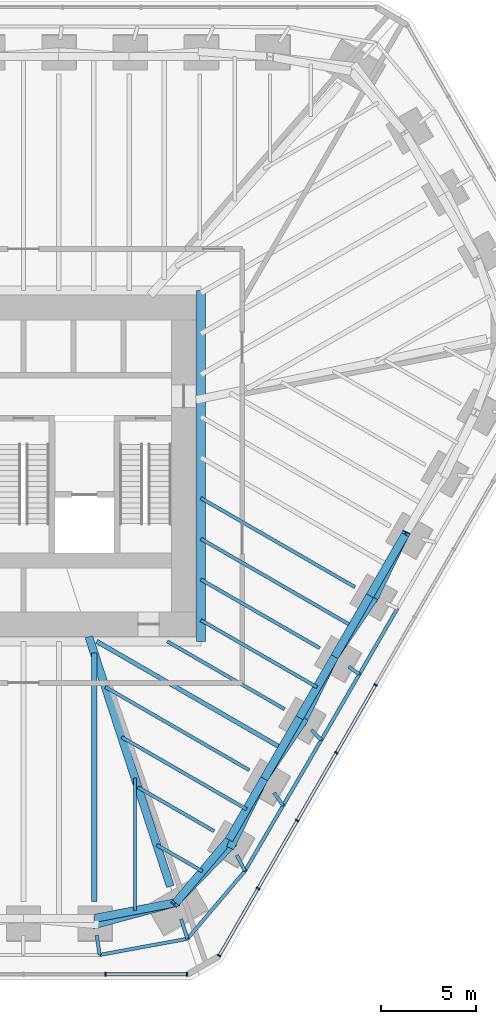
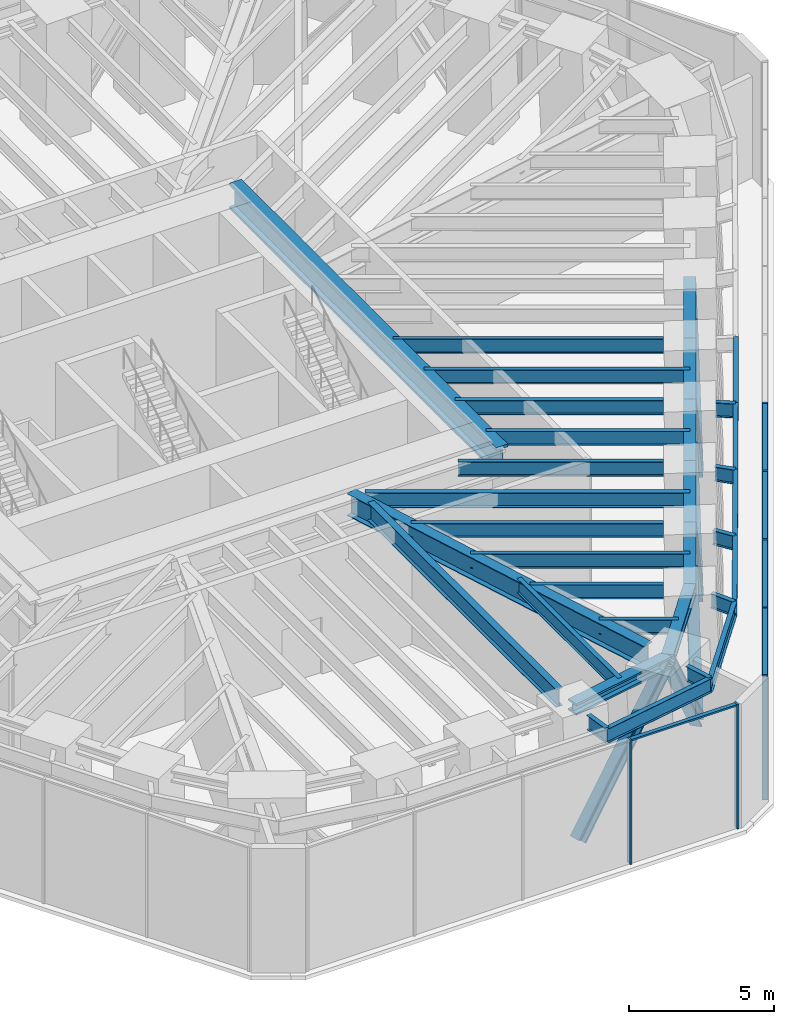
# One storey, part 4 of 12: 33 beams, 19 members, 2 elements without a shape of their own.
"""IFC4 building model written with IfcOpenShell, lengths in metres."""

from ifc_helpers import new_model, si_unit, direction, frame, origin, origin_2d, place, context, subcontext, project, spatial, rectangle, i_section, extrude, material, material_profile, profile_set, type_object, element, aggregate, save


model = new_model("IFC4")

# Units and contexts
model_context = context("Model", 3, precision=1e-05, world=origin(), true_north=direction((0.0, 1.0)))
body_context = subcontext(model_context, "Body", "Model", "MODEL_VIEW")
ifc_project = project(units=[si_unit("LENGTHUNIT", "METRE"), si_unit("AREAUNIT", "SQUARE_METRE"), si_unit("VOLUMEUNIT", "CUBIC_METRE"), si_unit("PLANEANGLEUNIT", "RADIAN"), si_unit("MASSUNIT", "GRAM", prefix="KILO")], contexts=[model_context])

# Site, building, storey
site_placement = place(None, origin())
site = spatial("IfcSite", under=ifc_project, at=site_placement, CompositionType="ELEMENT")
building_placement = place(site_placement, origin())
building = spatial("IfcBuilding", under=site, at=building_placement, Name="Sandreach Pilgrim Tower", CompositionType="ELEMENT")
storey_placement = place(building_placement, frame((0.0, 0.0, 172.800048828125)))
storey = spatial("IfcBuildingStorey", under=building, at=storey_placement, Name="L43", CompositionType="ELEMENT", Elevation=172.800048828125)

# Beams
ifc_material_1 = material(Name="Steel ASTM A913 Grade 65", Category="steel")
ifc_material_profile_1 = material_profile(ifc_material_1, i_section(OverallWidth=0.4267578125, OverallDepth=0.482666015625, WebThickness=0.05126953125, FlangeThickness=0.08154296875, at=origin_2d()), Name="W14X455")
ifc_profile_set_1 = profile_set([ifc_material_profile_1], Name="Steel ASTM A913 Grade 65")
beam_type_1 = type_object("IfcBeamType", Name="Belt truss chord W14X455", PredefinedType="BEAM", material=ifc_profile_set_1)
beam_1_placement = place(storey_placement, frame((20.00341796875, -5.1533203125, 4.99853515625), z_axis=(-0.499993363642, -0.866029235253, 0.0), x_axis=(0.866029235253, -0.499993363642, 0.0)))
element("IfcBeam", 1, at=beam_1_placement, inside=storey, type_object=beam_type_1, Name="BM L43 BTT16", PredefinedType="BEAM", context=body_context, shape_type="SweptSolid", body=[
    extrude(i_section(OverallWidth=0.4267578125, OverallDepth=0.482666015625, WebThickness=0.05126953125, FlangeThickness=0.08154296875, at=origin_2d()), origin(), (0.0, 0.0, 1.0), 3.6923828125),
])
for number, where, z_axis, x_axis, name in (
    (2, (18.1572265625, -8.35107421875, 4.99853515625), (-0.500042951019, -0.866000604582, 0.0), (0.866000604582, -0.500042951019, 0.0), "BM L43 BTT17"),
    (3, (16.310791015625, -11.548828125, 4.99853515625), (-0.49996473481, -0.866045763194, 0.0), (0.866045763194, -0.49996473481, 0.0), "BM L43 BTT18"),
):
    element("IfcBeam", number, at=place(storey_placement, frame(where, z_axis=z_axis, x_axis=x_axis)), inside=storey, type_object=beam_type_1, Name=name, PredefinedType="BEAM", context=body_context, shape_type="SweptSolid", body=[
        extrude(i_section(OverallWidth=0.4267578125, OverallDepth=0.482666015625, WebThickness=0.05126953125, FlangeThickness=0.08154296875, at=origin_2d()), origin(), (0.0, 0.0, 1.0), 3.692626953125),
    ])
for number, where, z_axis, x_axis, name in (
    (4, (14.464599609375, -14.746826171875, 4.99853515625), (-0.499993363642, -0.866029235253, 0.0), (0.866029235253, -0.499993363642, 0.0), "BM L43 BTT19"),
    (5, (12.618408203125, -17.944580078125, 4.99853515625), (-0.499993363642, -0.866029235253, 0.0), (0.866029235253, -0.499993363642, 0.0), "BM L43 BTT20"),
):
    element("IfcBeam", number, at=place(storey_placement, frame(where, z_axis=z_axis, x_axis=x_axis)), inside=storey, type_object=beam_type_1, Name=name, PredefinedType="BEAM", context=body_context, shape_type="SweptSolid", body=[
        extrude(i_section(OverallWidth=0.4267578125, OverallDepth=0.482666015625, WebThickness=0.05126953125, FlangeThickness=0.08154296875, at=origin_2d()), origin(), (0.0, 0.0, 1.0), 3.6923828125),
    ])
beam_2_placement = place(storey_placement, frame((10.772216796875, -21.142333984375, 4.99853515625), z_axis=(-0.646180160755, -0.76318490541, 0.0), x_axis=(0.76318490541, -0.646180160755, 0.0)))
element("IfcBeam", 6, at=beam_2_placement, inside=storey, type_object=beam_type_1, Name="BM L43 BTT21", PredefinedType="BEAM", context=body_context, shape_type="SweptSolid", body=[
    extrude(i_section(OverallWidth=0.4267578125, OverallDepth=0.482666015625, WebThickness=0.05126953125, FlangeThickness=0.08154296875, at=origin_2d()), origin(), (0.0, 0.0, 1.0), 4.323486328125),
])
beam_3_placement = place(storey_placement, frame((7.978515625, -24.44189453125, 4.99853515625), z_axis=(-0.981901333807, -0.18939316426, 0.0), x_axis=(0.18939316426, -0.981901333807, 0.0)))
element("IfcBeam", 7, at=beam_3_placement, inside=storey, type_object=beam_type_1, Name="BM L43 BTT22", PredefinedType="BEAM", context=body_context, shape_type="SweptSolid", body=[
    extrude(i_section(OverallWidth=0.4267578125, OverallDepth=0.482666015625, WebThickness=0.05126953125, FlangeThickness=0.08154296875, at=origin_2d()), origin(), (0.0, 0.0, 1.0), 4.3466796875),
])

# Members
ifc_material_2 = material(Name="Steel ASTM A913 Grade 65", Category="steel")
ifc_material_profile_2 = material_profile(ifc_material_2, i_section(OverallWidth=0.419189453125, OverallDepth=0.45458984375, WebThickness=0.042236328125, FlangeThickness=0.067626953125, at=origin_2d()), Name="W14X370")
ifc_profile_set_2 = profile_set([ifc_material_profile_2], Name="Steel ASTM A913 Grade 65")
member_type_1 = type_object("IfcMemberType", Name="Belt truss diagonal W14X370", PredefinedType="BRACE", material=ifc_profile_set_2)
member_1_placement = place(storey_placement, frame((20.00341796875, -5.1533203125, 4.99853515625), z_axis=(-0.246931525493, -0.505858362682, -0.826518081244), x_axis=(0.898648466726, -0.438669503444, 0.0)))
element("IfcMember", 8, at=member_1_placement, inside=storey, type_object=member_type_1, Name="Belt truss diagonal L43 bay 16", PredefinedType="BRACE", context=body_context, shape_type="SweptSolid", body=[
    extrude(i_section(OverallWidth=0.419189453125, OverallDepth=0.45458984375, WebThickness=0.042236328125, FlangeThickness=0.067626953125, at=origin_2d()), origin(), (0.0, 0.0, 1.0), 6.533203125),
])
member_2_placement = place(storey_placement, frame((18.39013671875, -8.458251953125, -0.4013671875), z_axis=(-0.316970907812, -0.471120667136, 0.823149294234), x_axis=(0.829693410335, -0.55821935191, 0.0)))
element("IfcMember", 9, at=member_2_placement, inside=storey, type_object=member_type_1, Name="Belt truss diagonal L43 bay 17", PredefinedType="BRACE", context=body_context, shape_type="SweptSolid", body=[
    extrude(i_section(OverallWidth=0.419189453125, OverallDepth=0.45458984375, WebThickness=0.042236328125, FlangeThickness=0.067626953125, at=origin_2d()), origin(), (0.0, 0.0, 1.0), 6.56005859375),
])
member_3_placement = place(storey_placement, frame((16.310791015625, -11.548828125, 4.99853515625), z_axis=(-0.252105644824, -0.514218423447, -0.819769575451), x_axis=(0.897894641446, -0.440210418849, 0.0)))
element("IfcMember", 10, at=member_3_placement, inside=storey, type_object=member_type_1, Name="Belt truss diagonal L43 bay 18", PredefinedType="BRACE", context=body_context, shape_type="SweptSolid", body=[
    extrude(i_section(OverallWidth=0.419189453125, OverallDepth=0.45458984375, WebThickness=0.042236328125, FlangeThickness=0.067626953125, at=origin_2d()), origin(), (0.0, 0.0, 1.0), 6.587158203125),
])
member_4_placement = place(storey_placement, frame((14.650146484375, -14.93603515625, -0.4013671875), z_axis=(-0.312249190131, -0.462370436191, 0.8298879581), x_axis=(0.828724692685, -0.559656487262, 0.0)))
element("IfcMember", 11, at=member_4_placement, inside=storey, type_object=member_type_1, Name="Belt truss diagonal L43 bay 19", PredefinedType="BRACE", context=body_context, shape_type="SweptSolid", body=[
    extrude(i_section(OverallWidth=0.419189453125, OverallDepth=0.45458984375, WebThickness=0.042236328125, FlangeThickness=0.067626953125, at=origin_2d()), origin(), (0.0, 0.0, 1.0), 6.5068359375),
])
member_5_placement = place(storey_placement, frame((12.618408203125, -17.944580078125, 4.99853515625), z_axis=(-0.257170147661, -0.522317128089, -0.813048788731), x_axis=(0.897150659058, -0.441724682298, 0.0)))
element("IfcMember", 12, at=member_5_placement, inside=storey, type_object=member_type_1, Name="Belt truss diagonal L43 bay 20", PredefinedType="BRACE", context=body_context, shape_type="SweptSolid", body=[
    extrude(i_section(OverallWidth=0.419189453125, OverallDepth=0.45458984375, WebThickness=0.042236328125, FlangeThickness=0.067626953125, at=origin_2d()), origin(), (0.0, 0.0, 1.0), 6.6416015625),
])
member_6_placement = place(storey_placement, frame((10.910400390625, -21.41357421875, -0.4013671875), z_axis=(-0.427998156749, -0.442075871123, 0.78828072537), x_axis=(0.718453665543, -0.69557482018, 0.0)))
element("IfcMember", 13, at=member_6_placement, inside=storey, type_object=member_type_1, Name="Belt truss diagonal L43 bay 21", PredefinedType="BRACE", context=body_context, shape_type="SweptSolid", body=[
    extrude(i_section(OverallWidth=0.419189453125, OverallDepth=0.45458984375, WebThickness=0.042236328125, FlangeThickness=0.067626953125, at=origin_2d()), origin(), (0.0, 0.0, 1.0), 6.850341796875),
])
member_7_placement = place(storey_placement, frame((7.978515625, -24.44189453125, 4.99853515625), z_axis=(-0.60748901661, -0.164433117278, -0.777122155546), x_axis=(0.261274605116, -0.965264513344, 0.0)))
element("IfcMember", 14, at=member_7_placement, inside=storey, type_object=member_type_1, Name="Belt truss diagonal L43 bay 22", PredefinedType="BRACE", context=body_context, shape_type="SweptSolid", body=[
    extrude(i_section(OverallWidth=0.419189453125, OverallDepth=0.45458984375, WebThickness=0.042236328125, FlangeThickness=0.067626953125, at=origin_2d()), origin(), (0.0, 0.0, 1.0), 6.948486328125),
])

# Curtain wall, members
ifc_material_3 = material(Name="Aluminium framed curtain wall", Category="aluminium")
curtain_wall_type = type_object("IfcCurtainWallType", Name="Plant storey louvred curtain wall", PredefinedType="NOTDEFINED", material=ifc_material_3)
curtain_wall_1_placement = place(storey_placement, origin())
curtain_wall_1 = element("IfcCurtainWall", 15, at=curtain_wall_1_placement, inside=storey, type_object=curtain_wall_type, Name="CW-L L43 SE", PredefinedType="NOTDEFINED")
ifc_material_4 = material(Name="Aluminium extrusion", Category="aluminium")
ifc_material_profile_3 = material_profile(ifc_material_4, rectangle(XDim=0.080078125, YDim=0.199951171875, at=origin_2d()), Name="CW-LM 80X200")
ifc_profile_set_3 = profile_set([ifc_material_profile_3], Name="Aluminium extrusion")
member_type_2 = type_object("IfcMemberType", Name="CW-L mullion", PredefinedType="MULLION", material=ifc_profile_set_3)
member_8_placement = place(storey_placement, frame((18.453369140625, -13.025146484375, 0.0), z_axis=(0.0, 0.0, 1.0), x_axis=(-0.5, -0.866025403784, 0.0)))
member_8 = element("IfcMember", 16, at=member_8_placement, type_object=member_type_2, Name="CW-L mullion 6", PredefinedType="MULLION", context=body_context, shape_type="SweptSolid", body=[
    extrude(rectangle(XDim=0.080078125, YDim=0.199951171875, at=origin_2d()), origin(), (0.0, 0.0, 1.0), 5.239990234375),
])
member_9_placement = place(storey_placement, frame((16.39990234375, -16.58203125, 0.0), z_axis=(0.0, 0.0, 1.0), x_axis=(-0.5, -0.866025403784, 0.0)))
member_9 = element("IfcMember", 17, at=member_9_placement, type_object=member_type_2, Name="CW-L mullion 7", PredefinedType="MULLION", context=body_context, shape_type="SweptSolid", body=[
    extrude(rectangle(XDim=0.080078125, YDim=0.199951171875, at=origin_2d()), origin(), (0.0, 0.0, 1.0), 5.239990234375),
])
member_10_placement = place(storey_placement, frame((14.346435546875, -20.138671875, 0.0), z_axis=(0.0, 0.0, 1.0), x_axis=(-0.5, -0.866025403784, 0.0)))
member_10 = element("IfcMember", 18, at=member_10_placement, type_object=member_type_2, Name="CW-L mullion 8", PredefinedType="MULLION", context=body_context, shape_type="SweptSolid", body=[
    extrude(rectangle(XDim=0.080078125, YDim=0.199951171875, at=origin_2d()), origin(), (0.0, 0.0, 1.0), 5.239990234375),
])
member_11_placement = place(storey_placement, frame((12.29296875, -23.695556640625, 0.0), z_axis=(0.0, 0.0, 1.0), x_axis=(-0.5, -0.866025403784, 0.0)))
member_11 = element("IfcMember", 19, at=member_11_placement, type_object=member_type_2, Name="CW-L mullion 9", PredefinedType="MULLION", context=body_context, shape_type="SweptSolid", body=[
    extrude(rectangle(XDim=0.080078125, YDim=0.199951171875, at=origin_2d()), origin(), (0.0, 0.0, 1.0), 5.239990234375),
])
member_12_placement = place(storey_placement, frame((10.259521484375, -27.217529296875, 0.0), z_axis=(0.0, 0.0, 1.0), x_axis=(-0.5, -0.866025403784, 0.0)))
member_12 = element("IfcMember", 20, at=member_12_placement, type_object=member_type_2, Name="CW-L mullion 10", PredefinedType="MULLION", context=body_context, shape_type="SweptSolid", body=[
    extrude(rectangle(XDim=0.080078125, YDim=0.199951171875, at=origin_2d()), origin(), (0.0, 0.0, 1.0), 5.239990234375),
])

curtain_wall_2_placement = place(storey_placement, origin())
curtain_wall_2 = element("IfcCurtainWall", 21, at=curtain_wall_2_placement, inside=storey, type_object=curtain_wall_type, Name="CW-L L43 S", PredefinedType="NOTDEFINED")
member_13_placement = place(storey_placement, frame((8.5712890625, -28.192138671875, 0.0), z_axis=(0.0, 0.0, 1.0), x_axis=(-1.0, 0.0, 0.0)))
member_13 = element("IfcMember", 22, at=member_13_placement, type_object=member_type_2, Name="CW-L mullion 1", PredefinedType="MULLION", context=body_context, shape_type="SweptSolid", body=[
    extrude(rectangle(XDim=0.080078125, YDim=0.199951171875, at=origin_2d()), origin(), (0.0, 0.0, 1.0), 5.239990234375),
])
member_14_placement = place(storey_placement, frame((4.3056640625, -28.192138671875, 0.0), z_axis=(0.0, 0.0, 1.0), x_axis=(-1.0, 0.0, 0.0)))
member_14 = element("IfcMember", 23, at=member_14_placement, type_object=member_type_2, Name="CW-L mullion 2", PredefinedType="MULLION", context=body_context, shape_type="SweptSolid", body=[
    extrude(rectangle(XDim=0.080078125, YDim=0.199951171875, at=origin_2d()), origin(), (0.0, 0.0, 1.0), 5.239990234375),
])

# Member
ifc_material_5 = material(Name="Aluminium extrusion", Category="aluminium")
ifc_material_profile_4 = material_profile(ifc_material_5, rectangle(XDim=0.159912109375, YDim=0.070068359375, at=origin_2d()), Name="CW-LT 160X70")
ifc_profile_set_4 = profile_set([ifc_material_profile_4], Name="Aluminium extrusion")
member_type_3 = type_object("IfcMemberType", Name="CW-L transom", PredefinedType="USERDEFINED", material=ifc_profile_set_4)
member_15_placement = place(storey_placement, frame((18.433349609375, -13.059814453125, 5.204833984375), z_axis=(-0.499979602577, -0.866037179922, 0.0), x_axis=(0.866037179922, -0.499979602577, 0.0)))
member_15 = element("IfcMember", 24, at=member_15_placement, type_object=member_type_3, Name="CW-L head transom 6", ObjectType="TRANSOM", PredefinedType="USERDEFINED", context=body_context, shape_type="SweptSolid", body=[
    extrude(rectangle(XDim=0.159912109375, YDim=0.070068359375, at=origin_2d()), origin(), (0.0, 0.0, 1.0), 4.027099609375),
])

member_16_placement = place(storey_placement, frame((16.3798828125, -16.61669921875, 5.204833984375), z_axis=(-0.500005854681, -0.866022023556, 0.0), x_axis=(0.866022023556, -0.500005854681, 0.0)))
member_16 = element("IfcMember", 25, at=member_16_placement, type_object=member_type_3, Name="CW-L head transom 7", ObjectType="TRANSOM", PredefinedType="USERDEFINED", context=body_context, shape_type="SweptSolid", body=[
    extrude(rectangle(XDim=0.159912109375, YDim=0.070068359375, at=origin_2d()), origin(), (0.0, 0.0, 1.0), 4.02685546875),
])

member_17_placement = place(storey_placement, frame((14.326416015625, -20.17333984375, 5.204833984375), z_axis=(-0.499979602577, -0.866037179922, 0.0), x_axis=(0.866037179922, -0.499979602577, 0.0)))
member_17 = element("IfcMember", 26, at=member_17_placement, type_object=member_type_3, Name="CW-L head transom 8", ObjectType="TRANSOM", PredefinedType="USERDEFINED", context=body_context, shape_type="SweptSolid", body=[
    extrude(rectangle(XDim=0.159912109375, YDim=0.070068359375, at=origin_2d()), origin(), (0.0, 0.0, 1.0), 4.027099609375),
])

member_18_placement = place(storey_placement, frame((12.27294921875, -23.730224609375, 5.204833984375), z_axis=(-0.500005166599, -0.866022420826, 0.0), x_axis=(0.866022420826, -0.500005166599, 0.0)))
member_18 = element("IfcMember", 27, at=member_18_placement, type_object=member_type_3, Name="CW-L head transom 9", ObjectType="TRANSOM", PredefinedType="USERDEFINED", context=body_context, shape_type="SweptSolid", body=[
    extrude(rectangle(XDim=0.159912109375, YDim=0.070068359375, at=origin_2d()), origin(), (0.0, 0.0, 1.0), 3.98681640625),
])

aggregate(curtain_wall_1, [member_8, member_9, member_10, member_11, member_12, member_15, member_16, member_17, member_18])

member_19_placement = place(storey_placement, frame((8.531494140625, -28.192138671875, 5.204833984375), z_axis=(-1.0, 0.0, 0.0), x_axis=(0.0, -1.0, 0.0)))
member_19 = element("IfcMember", 28, at=member_19_placement, type_object=member_type_3, Name="CW-L head transom 1", ObjectType="TRANSOM", PredefinedType="USERDEFINED", context=body_context, shape_type="SweptSolid", body=[
    extrude(rectangle(XDim=0.159912109375, YDim=0.070068359375, at=origin_2d()), origin(), (0.0, 0.0, 1.0), 4.185791015625),
])

aggregate(curtain_wall_2, [member_13, member_14, member_19])

# Beams
ifc_material_6 = material(Name="Steel ASTM A992 Grade 50", Category="steel")
ifc_material_profile_5 = material_profile(ifc_material_6, i_section(OverallWidth=0.472412109375, OverallDepth=1.0947265625, WebThickness=0.07666015625, FlangeThickness=0.114990234375, at=origin_2d()), Name="W36X925")
ifc_profile_set_5 = profile_set([ifc_material_profile_5], Name="Steel ASTM A992 Grade 50")
beam_type_2 = type_object("IfcBeamType", Name="Core edge beam W36X925", PredefinedType="BEAM", material=ifc_profile_set_5)
beam_4_placement = place(storey_placement, frame((9.296142578125, 7.646240234375, 4.692626953125), z_axis=(0.0, -1.0, 0.0), x_axis=(1.0, 0.0, 0.0)))
element("IfcBeam", 29, at=beam_4_placement, inside=storey, type_object=beam_type_2, Name="BM L43 CEE", PredefinedType="BEAM", context=body_context, shape_type="SweptSolid", body=[
    extrude(i_section(OverallWidth=0.472412109375, OverallDepth=1.0947265625, WebThickness=0.07666015625, FlangeThickness=0.114990234375, at=origin_2d()), origin(), (0.0, 0.0, 1.0), 18.392578125),
])
ifc_material_7 = material(Name="Steel ASTM A992 Grade 50", Category="steel")
ifc_material_profile_6 = material_profile(ifc_material_7, i_section(OverallWidth=0.419189453125, OverallDepth=0.927001953125, WebThickness=0.019287109375, FlangeThickness=0.031982421875, at=origin_2d()), Name="W36X231")
ifc_profile_set_6 = profile_set([ifc_material_profile_6], Name="Steel ASTM A992 Grade 50")
beam_type_3 = type_object("IfcBeamType", Name="Corner girder W36X231", PredefinedType="BEAM", material=ifc_profile_set_6)
beam_5_placement = place(storey_placement, frame((7.69921875, -23.58642578125, 4.7763671875), z_axis=(-0.310310528438, 0.950635248632, 0.0), x_axis=(-0.950635248632, -0.310310528438, 0.0)))
element("IfcBeam", 30, at=beam_5_placement, inside=storey, type_object=beam_type_3, Name="BM L43 CG22", PredefinedType="BEAM", context=body_context, shape_type="SweptSolid", body=[
    extrude(i_section(OverallWidth=0.419189453125, OverallDepth=0.927001953125, WebThickness=0.019287109375, FlangeThickness=0.031982421875, at=origin_2d()), origin(), (0.0, 0.0, 1.0), 13.765869140625),
])
ifc_material_8 = material(Name="Steel ASTM A992 Grade 50", Category="steel")
ifc_material_profile_7 = material_profile(ifc_material_8, i_section(OverallWidth=0.1787109375, OverallDepth=0.60205078125, WebThickness=0.010986328125, FlangeThickness=0.014892578125, at=origin_2d()), Name="W24X62")
ifc_profile_set_7 = profile_set([ifc_material_profile_7], Name="Steel ASTM A992 Grade 50")
beam_type_4 = type_object("IfcBeamType", Name="Floor beam W24X62", PredefinedType="BEAM", material=ifc_profile_set_7)
beam_6_placement = place(storey_placement, frame((17.377685546875, -7.901123046875, 4.93896484375), z_axis=(-0.86603048591, 0.499991197397, 0.0), x_axis=(-0.499991197397, -0.86603048591, 0.0)))
element("IfcBeam", 31, at=beam_6_placement, inside=storey, type_object=beam_type_4, Name="BM L43 F17", PredefinedType="BEAM", context=body_context, shape_type="SweptSolid", body=[
    extrude(i_section(OverallWidth=0.1787109375, OverallDepth=0.60205078125, WebThickness=0.010986328125, FlangeThickness=0.014892578125, at=origin_2d()), origin(), (0.0, 0.0, 1.0), 9.331787109375),
])
beam_7_placement = place(storey_placement, frame((15.531494140625, -11.098876953125, 4.93896484375), z_axis=(-0.866033125095, 0.499986626058, 0.0), x_axis=(-0.499986626058, -0.866033125095, 0.0)))
element("IfcBeam", 32, at=beam_7_placement, inside=storey, type_object=beam_type_4, Name="BM L43 F18", PredefinedType="BEAM", context=body_context, shape_type="SweptSolid", body=[
    extrude(i_section(OverallWidth=0.1787109375, OverallDepth=0.60205078125, WebThickness=0.010986328125, FlangeThickness=0.014892578125, at=origin_2d()), origin(), (0.0, 0.0, 1.0), 7.199951171875),
])
beam_8_placement = place(storey_placement, frame((13.685302734375, -14.296630859375, 4.93896484375), z_axis=(-0.86603844406, 0.499977412899, 0.0), x_axis=(-0.499977412899, -0.86603844406, 0.0)))
element("IfcBeam", 33, at=beam_8_placement, inside=storey, type_object=beam_type_4, Name="BM L43 F19", PredefinedType="BEAM", context=body_context, shape_type="SweptSolid", body=[
    extrude(i_section(OverallWidth=0.1787109375, OverallDepth=0.60205078125, WebThickness=0.010986328125, FlangeThickness=0.014892578125, at=origin_2d()), origin(), (0.0, 0.0, 1.0), 7.100830078125),
])
beam_9_placement = place(storey_placement, frame((11.8388671875, -17.49462890625, 4.93896484375), z_axis=(-0.866018660621, 0.50001167932, 0.0), x_axis=(-0.50001167932, -0.866018660621, 0.0)))
element("IfcBeam", 34, at=beam_9_placement, inside=storey, type_object=beam_type_4, Name="BM L43 F20", PredefinedType="BEAM", context=body_context, shape_type="SweptSolid", body=[
    extrude(i_section(OverallWidth=0.1787109375, OverallDepth=0.60205078125, WebThickness=0.010986328125, FlangeThickness=0.014892578125, at=origin_2d()), origin(), (0.0, 0.0, 1.0), 8.719482421875),
])
beam_10_placement = place(storey_placement, frame((9.99267578125, -20.6923828125, 4.93896484375), z_axis=(-0.866030286288, 0.49999154316, 0.0), x_axis=(-0.49999154316, -0.866030286288, 0.0)))
element("IfcBeam", 35, at=beam_10_placement, inside=storey, type_object=beam_type_4, Name="BM L43 F21", PredefinedType="BEAM", context=body_context, shape_type="SweptSolid", body=[
    extrude(i_section(OverallWidth=0.1787109375, OverallDepth=0.60205078125, WebThickness=0.010986328125, FlangeThickness=0.014892578125, at=origin_2d()), origin(), (0.0, 0.0, 1.0), 4.607421875),
])
beam_11_placement = place(storey_placement, frame((17.23388671875, -9.949951171875, 4.93896484375), z_axis=(-0.866029893925, 0.499992222768, 0.0), x_axis=(-0.499992222768, -0.866029893925, 0.0)))
element("IfcBeam", 36, at=beam_11_placement, inside=storey, type_object=beam_type_4, Name="BM L43 FM17", PredefinedType="BEAM", context=body_context, shape_type="SweptSolid", body=[
    extrude(i_section(OverallWidth=0.1787109375, OverallDepth=0.60205078125, WebThickness=0.010986328125, FlangeThickness=0.014892578125, at=origin_2d()), origin(), (0.0, 0.0, 1.0), 9.165771484375),
])
beam_12_placement = place(storey_placement, frame((15.3876953125, -13.14794921875, 4.93896484375), z_axis=(-0.866017386532, 0.500013886032, 0.0), x_axis=(-0.500013886032, -0.866017386532, 0.0)))
element("IfcBeam", 37, at=beam_12_placement, inside=storey, type_object=beam_type_4, Name="BM L43 FM18", PredefinedType="BEAM", context=body_context, shape_type="SweptSolid", body=[
    extrude(i_section(OverallWidth=0.1787109375, OverallDepth=0.60205078125, WebThickness=0.010986328125, FlangeThickness=0.014892578125, at=origin_2d()), origin(), (0.0, 0.0, 1.0), 7.033935546875),
])
beam_13_placement = place(storey_placement, frame((11.6953125, -19.54345703125, 4.93896484375), z_axis=(-0.866029704776, 0.49999255039, 0.0), x_axis=(-0.49999255039, -0.866029704776, 0.0)))
element("IfcBeam", 38, at=beam_13_placement, inside=storey, type_object=beam_type_4, Name="BM L43 FM20", PredefinedType="BEAM", context=body_context, shape_type="SweptSolid", body=[
    extrude(i_section(OverallWidth=0.1787109375, OverallDepth=0.60205078125, WebThickness=0.010986328125, FlangeThickness=0.014892578125, at=origin_2d()), origin(), (0.0, 0.0, 1.0), 7.5634765625),
])
beam_14_placement = place(storey_placement, frame((9.375244140625, -22.7919921875, 4.93896484375), z_axis=(-0.866046803606, 0.49996293259, 0.0), x_axis=(-0.49996293259, -0.866046803606, 0.0)))
element("IfcBeam", 39, at=beam_14_placement, inside=storey, type_object=beam_type_4, Name="BM L43 FM21", PredefinedType="BEAM", context=body_context, shape_type="SweptSolid", body=[
    extrude(i_section(OverallWidth=0.1787109375, OverallDepth=0.60205078125, WebThickness=0.010986328125, FlangeThickness=0.014892578125, at=origin_2d()), origin(), (0.0, 0.0, 1.0), 2.753662109375),
])
beam_15_placement = place(storey_placement, frame((5.844482421875, -24.853515625, 4.93896484375), z_axis=(0.0, 1.0, 0.0), x_axis=(-1.0, 0.0, 0.0)))
element("IfcBeam", 40, at=beam_15_placement, inside=storey, type_object=beam_type_4, Name="BM L43 FM22", PredefinedType="BEAM", context=body_context, shape_type="SweptSolid", body=[
    extrude(i_section(OverallWidth=0.1787109375, OverallDepth=0.60205078125, WebThickness=0.010986328125, FlangeThickness=0.014892578125, at=origin_2d()), origin(), (0.0, 0.0, 1.0), 6.94921875),
])
ifc_material_9 = material(Name="Steel ASTM A992 Grade 50", Category="steel")
ifc_material_profile_8 = material_profile(ifc_material_9, i_section(OverallWidth=0.23046875, OverallDepth=0.6171875, WebThickness=0.01318359375, FlangeThickness=0.022216796875, at=origin_2d()), Name="W24X94")
ifc_profile_set_8 = profile_set([ifc_material_profile_8], Name="Steel ASTM A992 Grade 50")
beam_type_5 = type_object("IfcBeamType", Name="Floor beam W24X94", PredefinedType="BEAM", material=ifc_profile_set_8)
beam_16_placement = place(storey_placement, frame((13.54150390625, -16.345703125, 4.931396484375), z_axis=(-0.866027664105, 0.49999608499, 0.0), x_axis=(-0.49999608499, -0.866027664105, 0.0)))
element("IfcBeam", 41, at=beam_16_placement, inside=storey, type_object=beam_type_5, Name="BM L43 FM19", PredefinedType="BEAM", context=body_context, shape_type="SweptSolid", body=[
    extrude(i_section(OverallWidth=0.23046875, OverallDepth=0.6171875, WebThickness=0.01318359375, FlangeThickness=0.022216796875, at=origin_2d()), origin(), (0.0, 0.0, 1.0), 11.19873046875),
])
ifc_material_10 = material(Name="Steel ASTM A992 Grade 50", Category="steel")
ifc_material_profile_9 = material_profile(ifc_material_10, i_section(OverallWidth=0.2666015625, OverallDepth=0.761962890625, WebThickness=0.014404296875, FlangeThickness=0.021484375, at=origin_2d()), Name="W30X116")
ifc_profile_set_9 = profile_set([ifc_material_profile_9], Name="Steel ASTM A992 Grade 50")
beam_type_6 = type_object("IfcBeamType", Name="Floor beam W30X116", PredefinedType="BEAM", material=ifc_profile_set_9)
beam_17_placement = place(storey_placement, frame((3.71044921875, -24.365234375, 4.85888671875), z_axis=(0.0, 1.0, 0.0), x_axis=(-1.0, 0.0, 0.0)))
element("IfcBeam", 42, at=beam_17_placement, inside=storey, type_object=beam_type_6, Name="BM L43 F23", PredefinedType="BEAM", context=body_context, shape_type="SweptSolid", body=[
    extrude(i_section(OverallWidth=0.2666015625, OverallDepth=0.761962890625, WebThickness=0.014404296875, FlangeThickness=0.021484375, at=origin_2d()), origin(), (0.0, 0.0, 1.0), 12.99853515625),
])
ifc_material_11 = material(Name="Steel ASTM A992 Grade 50", Category="steel")
ifc_material_profile_10 = material_profile(ifc_material_11, i_section(OverallWidth=0.1787109375, OverallDepth=0.60205078125, WebThickness=0.010986328125, FlangeThickness=0.014892578125, at=origin_2d()), Name="W24X62")
ifc_profile_set_10 = profile_set([ifc_material_profile_10], Name="Steel ASTM A992 Grade 50")
beam_type_7 = type_object("IfcBeamType", Name="Setback roof edge beam W24X62", PredefinedType="BEAM", material=ifc_profile_set_10)
beam_18_placement = place(storey_placement, frame((19.60107421875, -9.015380859375, 4.89892578125), z_axis=(-0.499966337503, -0.866044837964, 0.0), x_axis=(0.866044837964, -0.499966337503, 0.0)))
element("IfcBeam", 43, at=beam_18_placement, inside=storey, type_object=beam_type_7, Name="BM L43 RE17", PredefinedType="BEAM", context=body_context, shape_type="SweptSolid", body=[
    extrude(i_section(OverallWidth=0.1787109375, OverallDepth=0.60205078125, WebThickness=0.010986328125, FlangeThickness=0.014892578125, at=origin_2d()), origin(), (0.0, 0.0, 1.0), 3.986083984375),
])
beam_19_placement = place(storey_placement, frame((17.608154296875, -12.467529296875, 4.89892578125), z_axis=(-0.501777701502, -0.864996611713, 0.0), x_axis=(0.864996611713, -0.501777701502, 0.0)))
element("IfcBeam", 44, at=beam_19_placement, inside=storey, type_object=beam_type_7, Name="BM L43 RE18", PredefinedType="BEAM", context=body_context, shape_type="SweptSolid", body=[
    extrude(i_section(OverallWidth=0.1787109375, OverallDepth=0.60205078125, WebThickness=0.010986328125, FlangeThickness=0.014892578125, at=origin_2d()), origin(), (0.0, 0.0, 1.0), 3.98388671875),
])
beam_20_placement = place(storey_placement, frame((15.609130859375, -15.91357421875, 4.89892578125), z_axis=(-0.503069469735, -0.864245976919, 0.0), x_axis=(0.864245976919, -0.503069469735, 0.0)))
element("IfcBeam", 45, at=beam_20_placement, inside=storey, type_object=beam_type_7, Name="BM L43 RE19", PredefinedType="BEAM", context=body_context, shape_type="SweptSolid", body=[
    extrude(i_section(OverallWidth=0.1787109375, OverallDepth=0.60205078125, WebThickness=0.010986328125, FlangeThickness=0.014892578125, at=origin_2d()), origin(), (0.0, 0.0, 1.0), 3.97802734375),
])
beam_21_placement = place(storey_placement, frame((13.60791015625, -19.3515625, 4.89892578125), z_axis=(-0.503714288321, -0.863870311876, 0.0), x_axis=(0.863870311876, -0.503714288321, 0.0)))
element("IfcBeam", 46, at=beam_21_placement, inside=storey, type_object=beam_type_7, Name="BM L43 RE20", PredefinedType="BEAM", context=body_context, shape_type="SweptSolid", body=[
    extrude(i_section(OverallWidth=0.1787109375, OverallDepth=0.60205078125, WebThickness=0.010986328125, FlangeThickness=0.014892578125, at=origin_2d()), origin(), (0.0, 0.0, 1.0), 3.970947265625),
])
beam_22_placement = place(storey_placement, frame((11.607666015625, -22.781982421875, 4.89892578125), z_axis=(-0.646982991569, -0.762504431869, 0.0), x_axis=(0.762504431869, -0.646982991569, 0.0)))
element("IfcBeam", 47, at=beam_22_placement, inside=storey, type_object=beam_type_7, Name="BM L43 RE21", PredefinedType="BEAM", context=body_context, shape_type="SweptSolid", body=[
    extrude(i_section(OverallWidth=0.1787109375, OverallDepth=0.60205078125, WebThickness=0.010986328125, FlangeThickness=0.014892578125, at=origin_2d()), origin(), (0.0, 0.0, 1.0), 4.65576171875),
])
beam_23_placement = place(storey_placement, frame((8.595458984375, -26.33203125, 4.89892578125), z_axis=(-0.983470300185, -0.181069513323, 0.0), x_axis=(0.181069513323, -0.983470300185, 0.0)))
element("IfcBeam", 48, at=beam_23_placement, inside=storey, type_object=beam_type_7, Name="BM L43 RE22", PredefinedType="BEAM", context=body_context, shape_type="SweptSolid", body=[
    extrude(i_section(OverallWidth=0.1787109375, OverallDepth=0.60205078125, WebThickness=0.010986328125, FlangeThickness=0.014892578125, at=origin_2d()), origin(), (0.0, 0.0, 1.0), 4.681396484375),
])
ifc_material_12 = material(Name="Steel ASTM A992 Grade 50", Category="steel")
ifc_material_profile_11 = material_profile(ifc_material_12, i_section(OverallWidth=0.1787109375, OverallDepth=0.60205078125, WebThickness=0.010986328125, FlangeThickness=0.014892578125, at=origin_2d()), Name="W24X62")
ifc_profile_set_11 = profile_set([ifc_material_profile_11], Name="Steel ASTM A992 Grade 50")
beam_type_8 = type_object("IfcBeamType", Name="Setback roof outlooker W24X62", PredefinedType="BEAM", material=ifc_profile_set_11)
beam_24_placement = place(storey_placement, frame((17.04541015625, -12.069091796875, 4.89892578125), z_axis=(0.816142761885, -0.577850319912, 0.0), x_axis=(0.577850319912, 0.816142761885, 0.0)))
element("IfcBeam", 49, at=beam_24_placement, inside=storey, type_object=beam_type_8, Name="BM L43 OL18", PredefinedType="BEAM", context=body_context, shape_type="SweptSolid", body=[
    extrude(i_section(OverallWidth=0.1787109375, OverallDepth=0.60205078125, WebThickness=0.010986328125, FlangeThickness=0.014892578125, at=origin_2d()), origin(), (0.0, 0.0, 1.0), 0.689453125),
])
beam_25_placement = place(storey_placement, frame((15.094970703125, -15.38916015625, 4.89892578125), z_axis=(0.700091352365, -0.714053288168, 0.0), x_axis=(0.714053288168, 0.700091352365, 0.0)))
element("IfcBeam", 50, at=beam_25_placement, inside=storey, type_object=beam_type_8, Name="BM L43 OL19", PredefinedType="BEAM", context=body_context, shape_type="SweptSolid", body=[
    extrude(i_section(OverallWidth=0.1787109375, OverallDepth=0.60205078125, WebThickness=0.010986328125, FlangeThickness=0.014892578125, at=origin_2d()), origin(), (0.0, 0.0, 1.0), 0.734375),
])
beam_26_placement = place(storey_placement, frame((13.135986328125, -18.6806640625, 4.89892578125), z_axis=(0.575338568328, -0.817915357354, 0.0), x_axis=(0.817915357354, 0.575338568328, 0.0)))
element("IfcBeam", 51, at=beam_26_placement, inside=storey, type_object=beam_type_8, Name="BM L43 OL20", PredefinedType="BEAM", context=body_context, shape_type="SweptSolid", body=[
    extrude(i_section(OverallWidth=0.1787109375, OverallDepth=0.60205078125, WebThickness=0.010986328125, FlangeThickness=0.014892578125, at=origin_2d()), origin(), (0.0, 0.0, 1.0), 0.8203125),
])
beam_27_placement = place(storey_placement, frame((11.1806640625, -21.9443359375, 4.89892578125), z_axis=(0.454159158703, -0.890920568045, 0.0), x_axis=(0.890920568045, 0.454159158703, 0.0)))
element("IfcBeam", 52, at=beam_27_placement, inside=storey, type_object=beam_type_8, Name="BM L43 OL21", PredefinedType="BEAM", context=body_context, shape_type="SweptSolid", body=[
    extrude(i_section(OverallWidth=0.1787109375, OverallDepth=0.60205078125, WebThickness=0.010986328125, FlangeThickness=0.014892578125, at=origin_2d()), origin(), (0.0, 0.0, 1.0), 0.940185546875),
])
beam_28_placement = place(storey_placement, frame((8.2578125, -25.29736328125, 4.89892578125), z_axis=(0.310232166156, -0.950660824417, 0.0), x_axis=(0.950660824417, 0.310232166156, 0.0)))
element("IfcBeam", 53, at=beam_28_placement, inside=storey, type_object=beam_type_8, Name="BM L43 OL22", PredefinedType="BEAM", context=body_context, shape_type="SweptSolid", body=[
    extrude(i_section(OverallWidth=0.1787109375, OverallDepth=0.60205078125, WebThickness=0.010986328125, FlangeThickness=0.014892578125, at=origin_2d()), origin(), (0.0, 0.0, 1.0), 1.08837890625),
])
beam_29_placement = place(storey_placement, frame((3.841064453125, -26.155517578125, 4.89892578125), z_axis=(0.14528349971, -0.989390067017, 0.0), x_axis=(0.989390067017, 0.14528349971, 0.0)))
element("IfcBeam", 54, at=beam_29_placement, inside=storey, type_object=beam_type_8, Name="BM L43 OL23", PredefinedType="BEAM", context=body_context, shape_type="SweptSolid", body=[
    extrude(i_section(OverallWidth=0.1787109375, OverallDepth=0.60205078125, WebThickness=0.010986328125, FlangeThickness=0.014892578125, at=origin_2d()), origin(), (0.0, 0.0, 1.0), 1.03515625),
])

save(model, "model.ifc")
